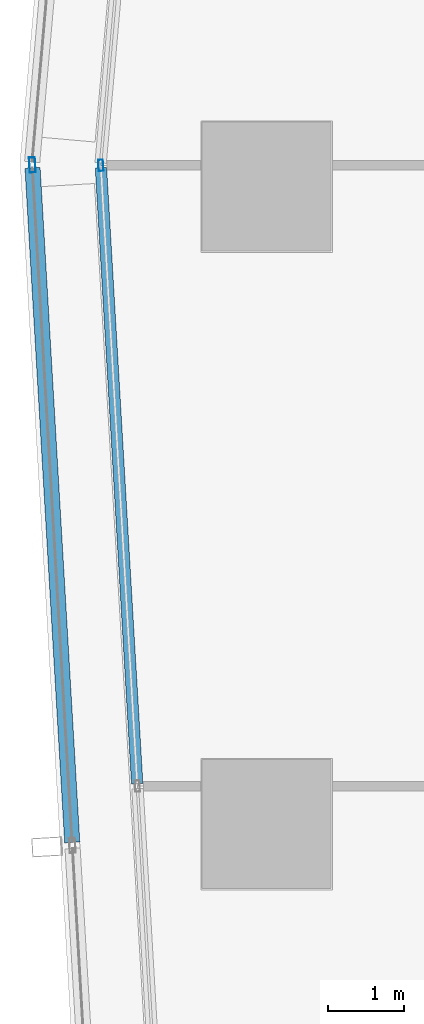
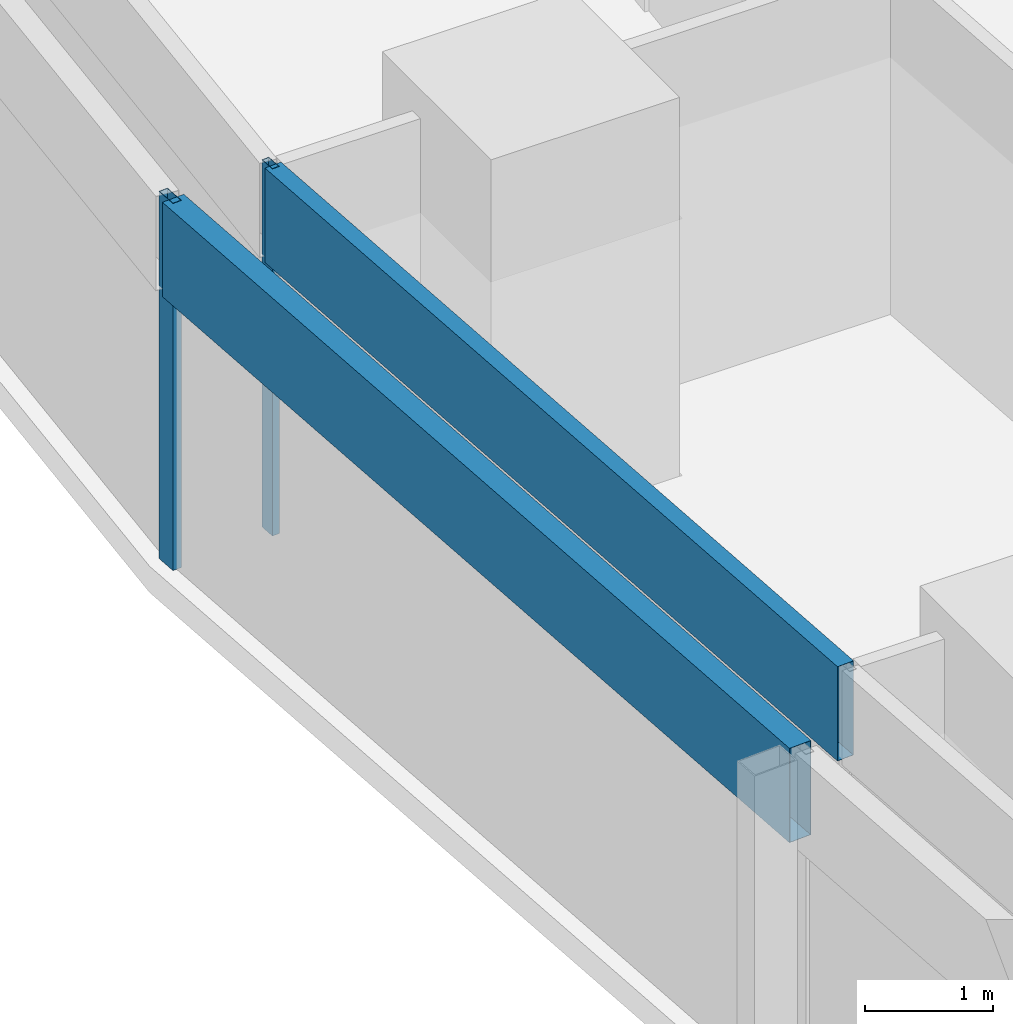
# One storey, part 9 of 34: 4 members, 2 elements without a shape of their own.
"""IFC4 building model written with IfcOpenShell, lengths in metres."""

from ifc_helpers import new_model, si_unit, direction, frame, origin, origin_2d, place, context, subcontext, project, spatial, hollow_rectangle, extrude, material, material_profile, profile_set, type_object, element, aggregate, save


model = new_model("IFC4")

# Units and contexts
model_context = context("Model", 3, precision=1e-05, world=origin(), true_north=direction((0.0, 1.0)))
body_context = subcontext(model_context, "Body", "Model", "MODEL_VIEW")
ifc_project = project(units=[si_unit("LENGTHUNIT", "METRE"), si_unit("AREAUNIT", "SQUARE_METRE"), si_unit("VOLUMEUNIT", "CUBIC_METRE"), si_unit("PLANEANGLEUNIT", "RADIAN"), si_unit("MASSUNIT", "GRAM", prefix="KILO")], contexts=[model_context])

# Site, building, storey
site_placement = place(None, origin())
site = spatial("IfcSite", under=ifc_project, at=site_placement, CompositionType="ELEMENT")
building_placement = place(site_placement, origin())
building = spatial("IfcBuilding", under=site, at=building_placement, Name="Rekha Terrace Tower", CompositionType="ELEMENT")
storey_placement = place(building_placement, frame((0.0, 0.0, 176.449951171875)))
storey = spatial("IfcBuildingStorey", under=building, at=storey_placement, Name="L44", CompositionType="ELEMENT", Elevation=176.449951171875)

# Curtain wall, members
ifc_material_1 = material(Name="Aluminium framing", Category="aluminium")
curtain_wall_type_1 = type_object("IfcCurtainWallType", Name="CW1 double skin inner glazing", PredefinedType="USERDEFINED", material=ifc_material_1)
curtain_wall_1_placement = place(storey_placement, origin())
curtain_wall_1 = element("IfcCurtainWall", 1, at=curtain_wall_1_placement, inside=storey, type_object=curtain_wall_type_1, Name="CW1 double skin inner glazing", ObjectType="DOUBLE SKIN INNER GLAZING", PredefinedType="USERDEFINED")
ifc_material_2 = material(Name="Aluminium mullion section", Category="aluminium")
ifc_material_profile_1 = material_profile(ifc_material_2, hollow_rectangle(XDim=0.06494140625, YDim=0.14990234375, WallThickness=0.00390625, at=origin_2d()), Name="AL RHS 65x150")
ifc_profile_set_1 = profile_set([ifc_material_profile_1], Name="Aluminium mullion section")
member_type_1 = type_object("IfcMemberType", Name="CW1 mullion RHS 65 x 150", PredefinedType="MULLION", material=ifc_profile_set_1)
member_1_placement = place(storey_placement, frame((6.214599609375, 42.281982421875, 0.0), z_axis=(0.0, 0.0, 1.0), x_axis=(0.998271839267, 0.058765082551, 0.0)))
member_1 = element("IfcMember", 2, at=member_1_placement, type_object=member_type_1, Name="CW1 mullion 1", PredefinedType="MULLION", context=body_context, shape_type="SweptSolid", body=[
    extrude(hollow_rectangle(XDim=0.06494140625, YDim=0.14990234375, WallThickness=0.00390625, at=origin_2d()), origin(), (0.0, 0.0, 1.0), 3.5),
])
ifc_material_3 = material(Name="Insulated aluminium spandrel box", Category="aluminium")
ifc_material_profile_2 = material_profile(ifc_material_3, hollow_rectangle(XDim=0.14990234375, YDim=0.89990234375, WallThickness=0.0029296875, at=origin_2d()), Name="AL SPANDREL BOX 150x900")
ifc_profile_set_2 = profile_set([ifc_material_profile_2], Name="Insulated aluminium spandrel box")
member_type_2 = type_object("IfcMemberType", Name="CW1 spandrel transom 150 x 900", PredefinedType="USERDEFINED", material=ifc_profile_set_2)
member_2_placement = place(storey_placement, frame((6.216552734375, 42.24951171875, 3.050048828125), z_axis=(0.058771314685, -0.998271472381, 0.0), x_axis=(0.998271472381, 0.058771314685, 0.0)))
member_2 = element("IfcMember", 3, at=member_2_placement, type_object=member_type_2, Name="CW1 spandrel transom 1", ObjectType="TRANSOM", PredefinedType="USERDEFINED", context=body_context, shape_type="SweptSolid", body=[
    extrude(hollow_rectangle(XDim=0.14990234375, YDim=0.89990234375, WallThickness=0.0029296875, at=origin_2d()), origin(), (0.0, 0.0, 1.0), 8.129638671875),
])
aggregate(curtain_wall_1, [member_1, member_2])

curtain_wall_type_2 = type_object("IfcCurtainWallType", Name="CW2 double skin outer glazing", PredefinedType="USERDEFINED", material=ifc_material_1)
curtain_wall_2_placement = place(storey_placement, origin())
curtain_wall_2 = element("IfcCurtainWall", 4, at=curtain_wall_2_placement, inside=storey, type_object=curtain_wall_type_2, Name="CW2 double skin outer glazing", ObjectType="DOUBLE SKIN OUTER GLAZING", PredefinedType="USERDEFINED")
ifc_material_profile_3 = material_profile(ifc_material_2, hollow_rectangle(XDim=0.080078125, YDim=0.199951171875, WallThickness=0.00390625, at=origin_2d()), Name="AL RHS 80x200")
ifc_profile_set_3 = profile_set([ifc_material_profile_3], Name="Aluminium mullion section")
member_type_3 = type_object("IfcMemberType", Name="CW2 mullion RHS 80 x 200", PredefinedType="MULLION", material=ifc_profile_set_3)
member_3_placement = place(storey_placement, frame((5.312744140625, 42.287841796875, 0.0), z_axis=(0.0, 0.0, 1.0), x_axis=(0.99827183927, 0.058765082499, 0.0)))
member_3 = element("IfcMember", 5, at=member_3_placement, type_object=member_type_3, Name="CW2 mullion 1", PredefinedType="MULLION", context=body_context, shape_type="SweptSolid", body=[
    extrude(hollow_rectangle(XDim=0.080078125, YDim=0.199951171875, WallThickness=0.00390625, at=origin_2d()), origin(), (0.0, 0.0, 1.0), 3.5),
])
ifc_material_profile_4 = material_profile(ifc_material_3, hollow_rectangle(XDim=0.199951171875, YDim=0.89990234375, WallThickness=0.0029296875, at=origin_2d()), Name="AL SPANDREL BOX 200x900")
ifc_profile_set_4 = profile_set([ifc_material_profile_4], Name="Insulated aluminium spandrel box")
member_type_4 = type_object("IfcMemberType", Name="CW2 spandrel transom 200 x 900", PredefinedType="USERDEFINED", material=ifc_profile_set_4)
member_4_placement = place(storey_placement, frame((5.315185546875, 42.247802734375, 3.050048828125), z_axis=(0.058762207171, -0.998272008527, 0.0), x_axis=(0.998272008527, 0.058762207171, 0.0)))
member_4 = element("IfcMember", 6, at=member_4_placement, type_object=member_type_4, Name="CW2 spandrel transom 1", ObjectType="TRANSOM", PredefinedType="USERDEFINED", context=body_context, shape_type="SweptSolid", body=[
    extrude(hollow_rectangle(XDim=0.199951171875, YDim=0.89990234375, WallThickness=0.0029296875, at=origin_2d()), origin(), (0.0, 0.0, 1.0), 8.903564453125),
])
aggregate(curtain_wall_2, [member_3, member_4])

save(model, "model.ifc")
